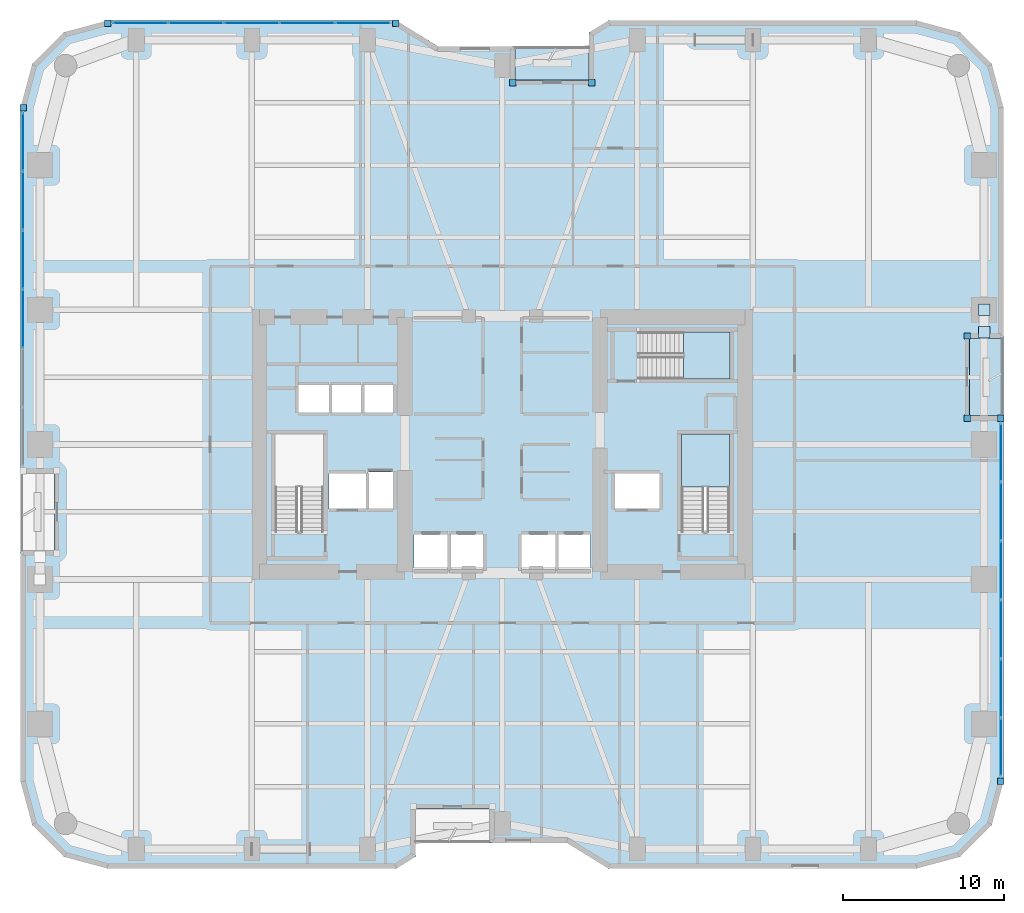
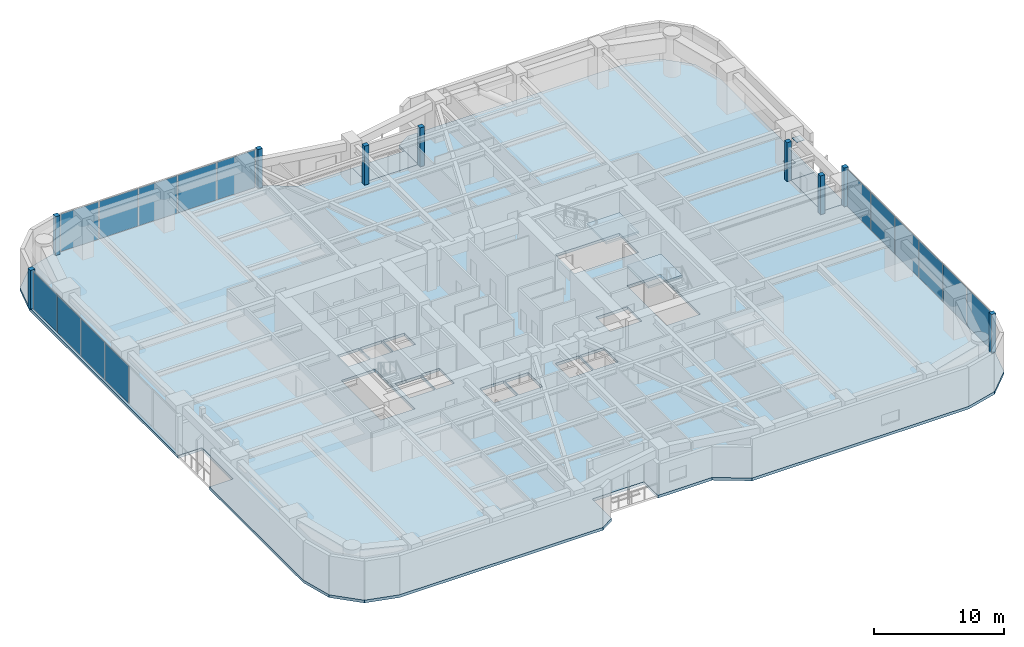
# One storey, part 20 of 29: 26 plates, 5 slabs, 5 elements without a shape of their own.
"""IFC4 building model written with IfcOpenShell, lengths in metres."""

from ifc_helpers import new_model, si_unit, direction, frame, origin, origin_2d, place, context, subcontext, project, spatial, polyline, rectangle, outline, extrude, material, layer, layer_set, type_object, element, aggregate, save


model = new_model("IFC4")

# Units and contexts
model_context = context("Model", 3, precision=1e-05, world=origin(), true_north=direction((0.0, 1.0)))
body_context = subcontext(model_context, "Body", "Model", "MODEL_VIEW")
ifc_project = project(units=[si_unit("LENGTHUNIT", "METRE"), si_unit("AREAUNIT", "SQUARE_METRE"), si_unit("VOLUMEUNIT", "CUBIC_METRE"), si_unit("PLANEANGLEUNIT", "RADIAN"), si_unit("MASSUNIT", "GRAM", prefix="KILO")], contexts=[model_context])

# Site, building, storey
site_placement = place(None, origin())
site = spatial("IfcSite", under=ifc_project, at=site_placement, CompositionType="ELEMENT")
building_placement = place(site_placement, origin())
building = spatial("IfcBuilding", under=site, at=building_placement, Name="Kiyonajd Concourse Tower", CompositionType="ELEMENT")
storey_placement = place(building_placement, frame((0.0, 0.0, 52.800048828125)))
storey = spatial("IfcBuildingStorey", under=building, at=storey_placement, Name="L14", CompositionType="ELEMENT", Elevation=52.800048828125)

# Plates
ifc_material_1 = material(Name="Steel ASTM A572 Grade 50", Category="steel")
ifc_layer_1 = layer(ifc_material_1, 0.028076171875)
ifc_layer_set_1 = layer_set([ifc_layer_1], Name="Steel ASTM A572 Grade 50")
plate_type_1 = type_object("IfcPlateType", Name="PL-CAP-450", PredefinedType="USERDEFINED", material=ifc_layer_set_1)
for number, where, z_axis, x_axis, name in (
    (1, (78.0, 44.40478515625, 0.27587890625), (0.0, 0.0, 1.0), (1.0, 0.0, 0.0), "L14 Hollow Brace End Cap Plate PBE"),
    (2, (78.0, 42.995361328125, 3.2861328125), (0.0, 0.0, 1.0), (1.0, 0.0, 0.0), "L14 Hollow Brace Top Cap Plate PBE"),
):
    element("IfcPlate", number, at=place(storey_placement, frame(where, z_axis=z_axis, x_axis=x_axis)), inside=storey, type_object=plate_type_1, Name=name, ObjectType="CAP PLATE", PredefinedType="USERDEFINED", context=body_context, shape_type="SweptSolid", body=[
        extrude(rectangle(XDim=0.7099609375, YDim=0.7099609375, at=origin_2d()), origin(), (0.0, 0.0, 1.0), 0.028076171875),
    ])

# Curtain wall, plates
ifc_material_2 = material(Name="Thermally Broken Anodised Aluminium", Category="aluminium")
ifc_layer_2 = layer(ifc_material_2, 0.179931640625)
ifc_layer_set_2 = layer_set([ifc_layer_2], Name="Thermally Broken Anodised Aluminium")
curtain_wall_type = type_object("IfcCurtainWallType", Name="CW-SYS-02", PredefinedType="NOTDEFINED", material=ifc_layer_set_2)
curtain_wall_1_placement = place(storey_placement, origin())
curtain_wall_1 = element("IfcCurtainWall", 3, at=curtain_wall_1_placement, inside=storey, type_object=curtain_wall_type, Name="L14 Unitised Curtain Wall CW2", PredefinedType="NOTDEFINED")
ifc_material_3 = material(Name="Double Low-E Insulated Glass", Category="glass")
ifc_layer_3 = layer(ifc_material_3, 0.028076171875)
ifc_layer_set_3 = layer_set([ifc_layer_3], Name="Double Low-E Insulated Glass")
plate_type_2 = type_object("IfcPlateType", Name="PL-CW-VIS28", PredefinedType="CURTAIN_PANEL", material=ifc_layer_set_3)
plate_1_placement = place(storey_placement, frame((18.159912109375, 43.832763671875, 0.06494140625), z_axis=(0.0, 0.0, 1.0), x_axis=(0.0, 1.0, 0.0)))
plate_1 = element("IfcPlate", 4, at=plate_1_placement, type_object=plate_type_2, Name="CW2 panel 3.1", PredefinedType="CURTAIN_PANEL", context=body_context, shape_type="SweptSolid", body=[
    extrude(rectangle(XDim=3.608154296875, YDim=0.028076171875, at=origin_2d()), origin(), (0.0, 0.0, 1.0), 3.510009765625),
])
plate_2_placement = place(storey_placement, frame((18.159912109375, 47.506103515625, 0.06494140625), z_axis=(0.0, 0.0, 1.0), x_axis=(0.0, 1.0, 0.0)))
plate_2 = element("IfcPlate", 5, at=plate_2_placement, type_object=plate_type_2, Name="CW2 panel 4.1", PredefinedType="CURTAIN_PANEL", context=body_context, shape_type="SweptSolid", body=[
    extrude(rectangle(XDim=3.608154296875, YDim=0.028076171875, at=origin_2d()), origin(), (0.0, 0.0, 1.0), 3.510009765625),
])
plate_3_placement = place(storey_placement, frame((18.159912109375, 51.17919921875, 0.06494140625), z_axis=(0.0, 0.0, 1.0), x_axis=(0.0, 1.0, 0.0)))
plate_3 = element("IfcPlate", 6, at=plate_3_placement, type_object=plate_type_2, Name="CW2 panel 5.1", PredefinedType="CURTAIN_PANEL", context=body_context, shape_type="SweptSolid", body=[
    extrude(rectangle(XDim=3.608154296875, YDim=0.028076171875, at=origin_2d()), origin(), (0.0, 0.0, 1.0), 3.510009765625),
])
plate_4_placement = place(storey_placement, frame((18.159912109375, 54.836181640625, 0.06494140625), z_axis=(0.0, 0.0, 1.0), x_axis=(0.0, 1.0, 0.0)))
plate_4 = element("IfcPlate", 7, at=plate_4_placement, type_object=plate_type_2, Name="CW2 panel 6.1", PredefinedType="CURTAIN_PANEL", context=body_context, shape_type="SweptSolid", body=[
    extrude(rectangle(XDim=3.57568359375, YDim=0.028076171875, at=origin_2d()), origin(), (0.0, 0.0, 1.0), 3.510009765625),
])
aggregate(curtain_wall_1, [plate_1, plate_2, plate_3, plate_4])

curtain_wall_2_placement = place(storey_placement, origin())
curtain_wall_2 = element("IfcCurtainWall", 8, at=curtain_wall_2_placement, inside=storey, type_object=curtain_wall_type, Name="L14 Unitised Curtain Wall CW2", PredefinedType="NOTDEFINED")
plate_5_placement = place(storey_placement, frame((25.462646484375, 62.239990234375, 0.06494140625), z_axis=(0.0, 0.0, 1.0), x_axis=(1.0, 0.0, 0.0)))
plate_5 = element("IfcPlate", 9, at=plate_5_placement, type_object=plate_type_2, Name="CW2 panel 1.1", PredefinedType="CURTAIN_PANEL", context=body_context, shape_type="SweptSolid", body=[
    extrude(rectangle(XDim=3.373291015625, YDim=0.028076171875, at=origin_2d()), origin(), (0.0, 0.0, 1.0), 3.510009765625),
])
plate_6_placement = place(storey_placement, frame((28.917236328125, 62.239990234375, 0.06494140625), z_axis=(0.0, 0.0, 1.0), x_axis=(1.0, 0.0, 0.0)))
plate_6 = element("IfcPlate", 10, at=plate_6_placement, type_object=plate_type_2, Name="CW2 panel 2.1", PredefinedType="CURTAIN_PANEL", context=body_context, shape_type="SweptSolid", body=[
    extrude(rectangle(XDim=3.40576171875, YDim=0.028076171875, at=origin_2d()), origin(), (0.0, 0.0, 1.0), 3.510009765625),
])
plate_7_placement = place(storey_placement, frame((32.387939453125, 62.239990234375, 0.06494140625), z_axis=(0.0, 0.0, 1.0), x_axis=(1.0, 0.0, 0.0)))
plate_7 = element("IfcPlate", 11, at=plate_7_placement, type_object=plate_type_2, Name="CW2 panel 3.1", PredefinedType="CURTAIN_PANEL", context=body_context, shape_type="SweptSolid", body=[
    extrude(rectangle(XDim=3.40576171875, YDim=0.028076171875, at=origin_2d()), origin(), (0.0, 0.0, 1.0), 3.510009765625),
])
plate_8_placement = place(storey_placement, frame((35.858642578125, 62.239990234375, 0.06494140625), z_axis=(0.0, 0.0, 1.0), x_axis=(1.0, 0.0, 0.0)))
plate_8 = element("IfcPlate", 12, at=plate_8_placement, type_object=plate_type_2, Name="CW2 panel 4.1", PredefinedType="CURTAIN_PANEL", context=body_context, shape_type="SweptSolid", body=[
    extrude(rectangle(XDim=3.40576171875, YDim=0.028076171875, at=origin_2d()), origin(), (0.0, 0.0, 1.0), 3.510009765625),
])
plate_9_placement = place(storey_placement, frame((39.31298828125, 62.239990234375, 0.06494140625), z_axis=(0.0, 0.0, 1.0), x_axis=(1.0, 0.0, 0.0)))
plate_9 = element("IfcPlate", 13, at=plate_9_placement, type_object=plate_type_2, Name="CW2 panel 5.1", PredefinedType="CURTAIN_PANEL", context=body_context, shape_type="SweptSolid", body=[
    extrude(rectangle(XDim=3.373291015625, YDim=0.028076171875, at=origin_2d()), origin(), (0.0, 0.0, 1.0), 3.510009765625),
])
aggregate(curtain_wall_2, [plate_5, plate_6, plate_7, plate_8, plate_9])

curtain_wall_3_placement = place(storey_placement, origin())
curtain_wall_3 = element("IfcCurtainWall", 14, at=curtain_wall_3_placement, inside=storey, type_object=curtain_wall_type, Name="L14 Unitised Curtain Wall CW2", PredefinedType="NOTDEFINED")
plate_10_placement = place(storey_placement, frame((79.0400390625, 35.4970703125, 0.06494140625), z_axis=(0.0, 0.0, 1.0), x_axis=(0.0, -1.0, 0.0)))
plate_10 = element("IfcPlate", 15, at=plate_10_placement, type_object=plate_type_2, Name="CW2 panel 1.1", PredefinedType="CURTAIN_PANEL", context=body_context, shape_type="SweptSolid", body=[
    extrude(rectangle(XDim=3.57568359375, YDim=0.028076171875, at=origin_2d()), origin(), (0.0, 0.0, 1.0), 3.510009765625),
])
plate_11_placement = place(storey_placement, frame((79.0400390625, 31.84033203125, 0.06494140625), z_axis=(0.0, 0.0, 1.0), x_axis=(0.0, -1.0, 0.0)))
plate_11 = element("IfcPlate", 16, at=plate_11_placement, type_object=plate_type_2, Name="CW2 panel 2.1", PredefinedType="CURTAIN_PANEL", context=body_context, shape_type="SweptSolid", body=[
    extrude(rectangle(XDim=3.608154296875, YDim=0.028076171875, at=origin_2d()), origin(), (0.0, 0.0, 1.0), 3.510009765625),
])
plate_12_placement = place(storey_placement, frame((79.0400390625, 28.167236328125, 0.06494140625), z_axis=(0.0, 0.0, 1.0), x_axis=(0.0, -1.0, 0.0)))
plate_12 = element("IfcPlate", 17, at=plate_12_placement, type_object=plate_type_2, Name="CW2 panel 3.1", PredefinedType="CURTAIN_PANEL", context=body_context, shape_type="SweptSolid", body=[
    extrude(rectangle(XDim=3.608154296875, YDim=0.028076171875, at=origin_2d()), origin(), (0.0, 0.0, 1.0), 3.510009765625),
])
plate_13_placement = place(storey_placement, frame((79.0400390625, 24.493896484375, 0.06494140625), z_axis=(0.0, 0.0, 1.0), x_axis=(0.0, -1.0, 0.0)))
plate_13 = element("IfcPlate", 18, at=plate_13_placement, type_object=plate_type_2, Name="CW2 panel 4.1", PredefinedType="CURTAIN_PANEL", context=body_context, shape_type="SweptSolid", body=[
    extrude(rectangle(XDim=3.608154296875, YDim=0.028076171875, at=origin_2d()), origin(), (0.0, 0.0, 1.0), 3.510009765625),
])
plate_14_placement = place(storey_placement, frame((79.0400390625, 20.82080078125, 0.06494140625), z_axis=(0.0, 0.0, 1.0), x_axis=(0.0, -1.0, 0.0)))
plate_14 = element("IfcPlate", 19, at=plate_14_placement, type_object=plate_type_2, Name="CW2 panel 5.1", PredefinedType="CURTAIN_PANEL", context=body_context, shape_type="SweptSolid", body=[
    extrude(rectangle(XDim=3.608154296875, YDim=0.028076171875, at=origin_2d()), origin(), (0.0, 0.0, 1.0), 3.510009765625),
])
plate_15_placement = place(storey_placement, frame((79.0400390625, 17.163818359375, 0.06494140625), z_axis=(0.0, 0.0, 1.0), x_axis=(0.0, -1.0, 0.0)))
plate_15 = element("IfcPlate", 20, at=plate_15_placement, type_object=plate_type_2, Name="CW2 panel 6.1", PredefinedType="CURTAIN_PANEL", context=body_context, shape_type="SweptSolid", body=[
    extrude(rectangle(XDim=3.57568359375, YDim=0.028076171875, at=origin_2d()), origin(), (0.0, 0.0, 1.0), 3.510009765625),
])
aggregate(curtain_wall_3, [plate_10, plate_11, plate_12, plate_13, plate_14, plate_15])

# Plates
ifc_layer_4 = layer(ifc_material_2, 0.39990234375)
ifc_layer_set_4 = layer_set([ifc_layer_4], Name="Thermally Broken Anodised Aluminium")
plate_type_3 = type_object("IfcPlateType", Name="PL-JMB-400", PredefinedType="USERDEFINED", material=ifc_layer_set_4)
for number, where, z_axis, x_axis, name in (
    (21, (18.159912109375, 56.97900390625, 0.0), (0.0, 0.0, 1.0), (1.0, 0.0, 0.0), "L14 Facade Jamb Closure Plate 04"),
    (22, (23.421142578125, 62.239990234375, 0.0), (0.0, 0.0, 1.0), (1.0, 0.0, 0.0), "L14 Facade Jamb Closure Plate 05"),
    (23, (41.354736328125, 62.239990234375, 0.0), (0.0, 0.0, 1.0), (1.0, 0.0, 0.0), "L14 Facade Jamb Closure Plate 06"),
    (24, (48.639892578125, 58.5400390625, 0.0), (0.0, 0.0, 1.0), (1.0, 0.0, 0.0), "L14 Facade Jamb Closure Plate 07"),
    (25, (53.56005859375, 58.5400390625, 0.0), (0.0, 0.0, 1.0), (1.0, 0.0, 0.0), "L14 Facade Jamb Closure Plate 08"),
    (26, (76.93994140625, 42.760009765625, 0.0), (0.0, 0.0, 1.0), (1.0, 0.0, 0.0), "L14 Facade Jamb Closure Plate 09"),
    (27, (76.93994140625, 37.639892578125, 0.0), (0.0, 0.0, 1.0), (1.0, 0.0, 0.0), "L14 Facade Jamb Closure Plate 10"),
    (28, (79.0400390625, 37.639892578125, 0.0), (0.0, 0.0, 1.0), (1.0, 0.0, 0.0), "L14 Facade Jamb Closure Plate 11"),
    (29, (79.0400390625, 15.02099609375, 0.0), (0.0, 0.0, 1.0), (1.0, 0.0, 0.0), "L14 Facade Jamb Closure Plate 12"),
):
    element("IfcPlate", number, at=place(storey_placement, frame(where, z_axis=z_axis, x_axis=x_axis)), inside=storey, type_object=plate_type_3, Name=name, ObjectType="JAMB PLATE", PredefinedType="USERDEFINED", context=body_context, shape_type="SweptSolid", body=[
        extrude(rectangle(XDim=0.39990234375, YDim=0.39990234375, at=origin_2d()), origin(), (0.0, 0.0, 1.0), 3.639892578125),
    ])

# Stair, slab
ifc_material_4 = material(Name="Concrete C40/50", Category="concrete")
stair_type = type_object("IfcStairType", Name="ST-DLG-22R", PredefinedType="HALF_TURN_STAIR", material=ifc_material_4)
stair_1_placement = place(storey_placement, origin())
stair_1 = element("IfcStair", 30, at=stair_1_placement, inside=storey, type_object=stair_type, Name="L14 Protected Exit Stair ST2", PredefinedType="HALF_TURN_STAIR")
ifc_layer_5 = layer(ifc_material_4, 0.199951171875)
ifc_layer_set_5 = layer_set([ifc_layer_5], Name="Concrete C40/50")
slab_type_1 = type_object("IfcSlabType", Name="SL-LND-200", PredefinedType="LANDING", material=ifc_layer_set_5)
slab_1_placement = place(storey_placement, frame((0.0, 0.0, 1.75)))
slab_1 = element("IfcSlab", 31, at=slab_1_placement, type_object=slab_type_1, Name="ST2 landing 1", PredefinedType="LANDING", context=body_context, shape_type="SweptSolid", body=[
    extrude(outline(polyline([(62.14990234375, 33.35009765625), (62.14990234375, 36.64990234375), (59.14990234375, 36.64990234375), (59.14990234375, 33.35009765625), (62.14990234375, 33.35009765625)])), origin(), (0.0, 0.0, 1.0), 0.199951171875),
])
aggregate(stair_1, [slab_1])

stair_2_placement = place(storey_placement, origin())
stair_2 = element("IfcStair", 32, at=stair_2_placement, inside=storey, type_object=stair_type, Name="L14 Protected Exit Stair ST3", PredefinedType="HALF_TURN_STAIR")
slab_2_placement = place(storey_placement, frame((0.0, 0.0, 1.75)))
slab_2 = element("IfcSlab", 33, at=slab_2_placement, type_object=slab_type_1, Name="ST3 landing 1", PredefinedType="LANDING", context=body_context, shape_type="SweptSolid", body=[
    extrude(outline(polyline([(59.280029296875, 40.080078125), (62.179931640625, 40.080078125), (62.179931640625, 43.02001953125), (59.280029296875, 43.02001953125), (59.280029296875, 40.080078125)])), origin(), (0.0, 0.0, 1.0), 0.199951171875),
])
aggregate(stair_2, [slab_2])

# Slabs
ifc_material_5 = material(Name="Precast concrete C50/60", Category="concrete")
ifc_layer_6 = layer(ifc_material_5, 0.199951171875)
ifc_layer_set_6 = layer_set([ifc_layer_6], Name="Precast concrete C50/60")
slab_type_2 = type_object("IfcSlabType", Name="SL-LOG-200", PredefinedType="FLOOR", material=ifc_layer_set_6)
slab_3_placement = place(storey_placement, frame((0.0, 0.0, -0.199951171875)))
element("IfcSlab", 34, at=slab_3_placement, inside=storey, type_object=slab_type_2, Name="L14 Recessed Engawa Loggia Terrace Slab LOG-N", PredefinedType="FLOOR", context=body_context, shape_type="SweptSolid", body=[
    extrude(outline(polyline([(48.800048828125, 58.699951171875), (53.39990234375, 58.699951171875), (53.39990234375, 60.800048828125), (48.800048828125, 60.800048828125), (48.800048828125, 58.699951171875)])), origin(), (0.0, 0.0, 1.0), 0.199951171875),
])
slab_4_placement = place(storey_placement, frame((0.0, 0.0, -0.199951171875)))
element("IfcSlab", 35, at=slab_4_placement, inside=storey, type_object=slab_type_2, Name="L14 Recessed Engawa Loggia Terrace Slab LOG-E", PredefinedType="FLOOR", context=body_context, shape_type="SweptSolid", body=[
    extrude(outline(polyline([(77.10009765625, 37.800048828125), (79.199951171875, 37.800048828125), (79.199951171875, 42.60009765625), (77.10009765625, 42.60009765625), (77.10009765625, 37.800048828125)])), origin(), (0.0, 0.0, 1.0), 0.199951171875),
])
ifc_layer_7 = layer(ifc_material_4, 0.260009765625)
ifc_layer_set_7 = layer_set([ifc_layer_7], Name="Concrete C40/50")
slab_type_3 = type_object("IfcSlabType", Name="SL-TWR-260", PredefinedType="FLOOR", material=ifc_layer_set_7)
slab_5_placement = place(storey_placement, frame((0.0, 0.0, -0.260009765625)))
element("IfcSlab", 36, at=slab_5_placement, inside=storey, type_object=slab_type_3, Name="L14 Tower Conditioned Floor Slab", PredefinedType="FLOOR", context=body_context, shape_type="SweptSolid", body=[
    extrude(outline(polyline([(18.722900390625, 12.300048828125), (18.0, 15.0), (18.0, 29.39990234375), (20.10009765625, 29.39990234375), (20.10009765625, 34.199951171875), (18.0, 34.199951171875), (18.0, 57.0), (18.722900390625, 59.699951171875), (20.699951171875, 61.677001953125), (23.39990234375, 62.39990234375), (41.39990234375, 62.39990234375), (44.0, 60.800048828125), (48.800048828125, 60.800048828125), (48.800048828125, 58.699951171875), (53.39990234375, 58.699951171875), (53.39990234375, 61.662109375), (54.60009765625, 62.39990234375), (73.800048828125, 62.39990234375), (76.5, 61.677001953125), (78.47705078125, 59.699951171875), (79.199951171875, 57.0), (79.199951171875, 42.60009765625), (77.10009765625, 42.60009765625), (77.10009765625, 37.800048828125), (79.199951171875, 37.800048828125), (79.199951171875, 15.0), (78.47705078125, 12.300048828125), (76.5, 10.322998046875), (73.800048828125, 9.60009765625), (54.60009765625, 9.60009765625), (52.0, 11.199951171875), (47.199951171875, 11.199951171875), (47.199951171875, 13.300048828125), (42.60009765625, 13.300048828125), (42.60009765625, 10.337890625), (41.39990234375, 9.60009765625), (23.39990234375, 9.60009765625), (20.699951171875, 10.322998046875), (18.722900390625, 12.300048828125)]), holes=[polyline([(44.60009765625, 28.199951171875), (42.5, 28.199951171875), (42.5, 30.39990234375), (44.60009765625, 30.39990234375), (44.60009765625, 28.199951171875)]), polyline([(37.199951171875, 32.0), (37.199951171875, 34.199951171875), (39.5, 34.199951171875), (39.5, 32.0), (37.199951171875, 32.0)]), polyline([(39.60009765625, 32.0), (39.60009765625, 34.300048828125), (41.199951171875, 34.300048828125), (41.199951171875, 32.0), (39.60009765625, 32.0)]), polyline([(36.85009765625, 30.550048828125), (33.85009765625, 30.550048828125), (33.85009765625, 36.64990234375), (36.85009765625, 36.64990234375), (36.85009765625, 30.550048828125)]), polyline([(35.300048828125, 38.0), (35.300048828125, 39.699951171875), (37.199951171875, 39.699951171875), (37.199951171875, 38.0), (35.300048828125, 38.0)]), polyline([(37.300048828125, 38.0), (37.300048828125, 39.699951171875), (39.199951171875, 39.699951171875), (39.199951171875, 38.0), (37.300048828125, 38.0)]), polyline([(41.199951171875, 38.0), (39.300048828125, 38.0), (39.300048828125, 39.699951171875), (41.199951171875, 39.699951171875), (41.199951171875, 38.0)]), polyline([(44.699951171875, 28.199951171875), (44.699951171875, 30.39990234375), (46.800048828125, 30.39990234375), (46.800048828125, 28.199951171875), (44.699951171875, 28.199951171875)]), polyline([(49.199951171875, 28.199951171875), (49.199951171875, 30.39990234375), (51.300048828125, 30.39990234375), (51.300048828125, 28.199951171875), (49.199951171875, 28.199951171875)]), polyline([(51.39990234375, 28.199951171875), (51.39990234375, 30.39990234375), (53.5, 30.39990234375), (53.5, 28.199951171875), (51.39990234375, 28.199951171875)]), polyline([(55.0, 32.0), (55.0, 34.199951171875), (57.800048828125, 34.199951171875), (57.800048828125, 32.0), (55.0, 32.0)]), polyline([(59.14990234375, 30.550048828125), (59.14990234375, 36.64990234375), (62.14990234375, 36.64990234375), (62.14990234375, 30.550048828125), (59.14990234375, 30.550048828125)]), polyline([(56.47998046875, 43.02001953125), (62.179931640625, 43.02001953125), (62.179931640625, 40.080078125), (56.47998046875, 40.080078125), (56.47998046875, 43.02001953125)])]), origin(), (0.0, 0.0, 1.0), 0.260009765625),
])

save(model, "model.ifc")
